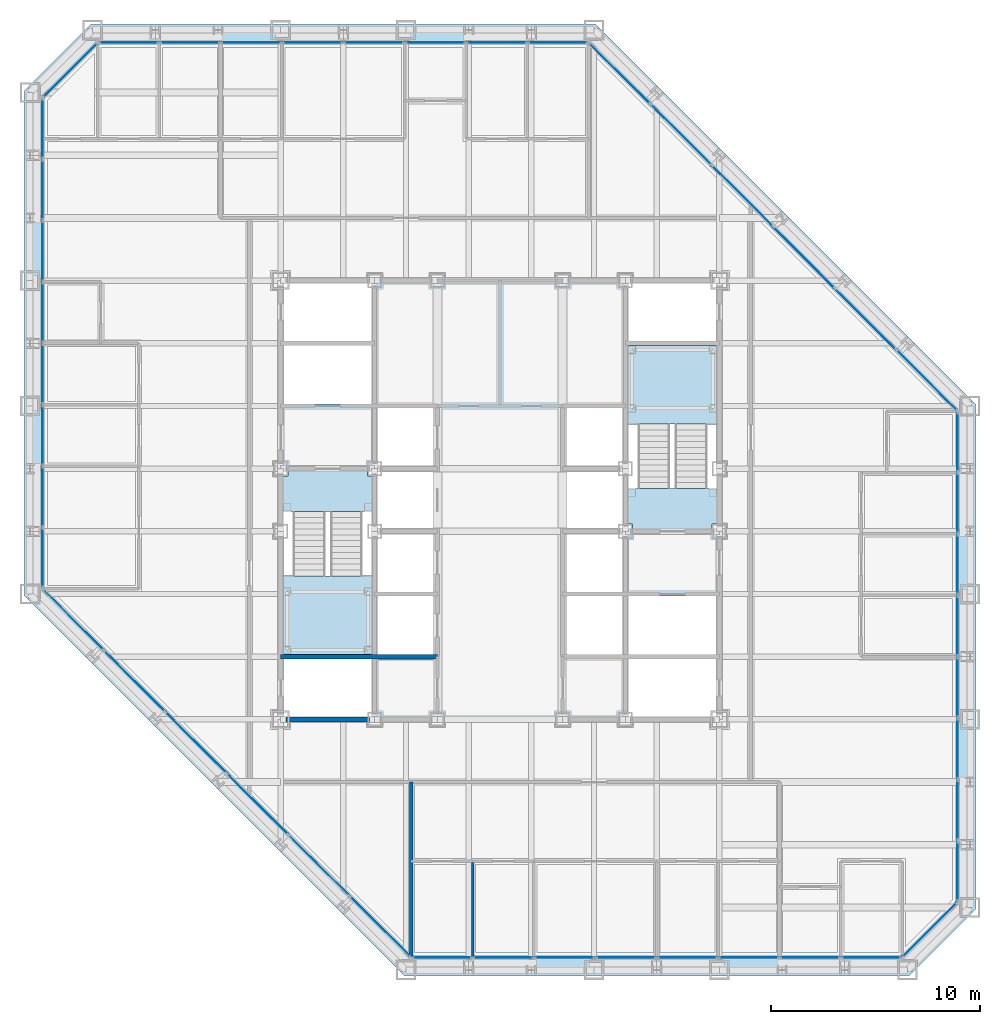
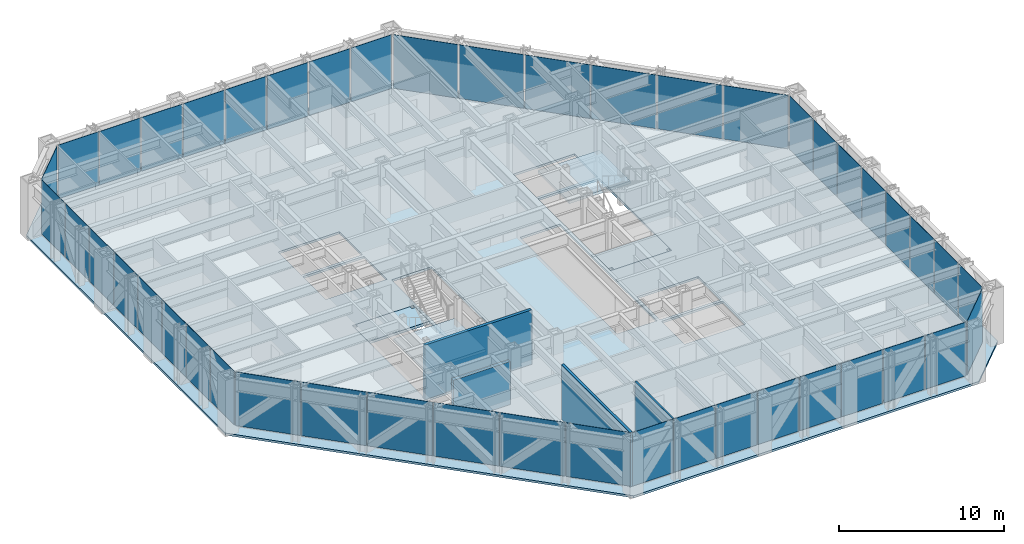
# One storey, part 9 of 16: 46 plates, 5 slabs, 4 walls, 10 elements without a shape of their own.
"""IFC4 building model written with IfcOpenShell, lengths in metres."""

from ifc_helpers import new_model, si_unit, direction, frame, frame_2d, origin, origin_2d, place, context, subcontext, project, spatial, polyline, rectangle, outline, extrude, material, layer, layer_set, type_object, element, aggregate, save


model = new_model("IFC4")

# Units and contexts
model_context = context("Model", 3, precision=1e-05, world=origin(), true_north=direction((0.0, 1.0)))
body_context = subcontext(model_context, "Body", "Model", "MODEL_VIEW")
ifc_project = project(units=[si_unit("LENGTHUNIT", "METRE"), si_unit("AREAUNIT", "SQUARE_METRE"), si_unit("VOLUMEUNIT", "CUBIC_METRE"), si_unit("PLANEANGLEUNIT", "RADIAN"), si_unit("MASSUNIT", "GRAM", prefix="KILO")], contexts=[model_context])

# Site, building, storey
site_placement = place(None, origin())
site = spatial("IfcSite", under=ifc_project, at=site_placement, CompositionType="ELEMENT")
building_placement = place(site_placement, origin())
building = spatial("IfcBuilding", under=site, at=building_placement, Name="Chuquiago Exchange Tower", CompositionType="ELEMENT")
storey_placement = place(building_placement, frame((0.0, 0.0, 106.800048828125)))
storey = spatial("IfcBuildingStorey", under=building, at=storey_placement, Name="L22", CompositionType="ELEMENT", Elevation=106.800048828125)

# Curtain wall, plates
ifc_material_1 = material(Name="Aluminium curtain wall system", Category="aluminium")
ifc_layer_1 = layer(ifc_material_1, 0.22509765625)
ifc_layer_set_1 = layer_set([ifc_layer_1], Name="CW2 office curtain wall")
curtain_wall_type_1 = type_object("IfcCurtainWallType", Name="CW2 office curtain wall", PredefinedType="NOTDEFINED", material=ifc_layer_set_1)
curtain_wall_1_placement = place(storey_placement, origin())
curtain_wall_1 = element("IfcCurtainWall", 1, at=curtain_wall_1_placement, inside=storey, type_object=curtain_wall_type_1, Name="CW2 curtain wall L22", PredefinedType="NOTDEFINED")
ifc_material_2 = material(Name="Glass, insulating unit", Category="glass")
ifc_layer_2 = layer(ifc_material_2, 0.030029296875)
ifc_layer_set_2 = layer_set([ifc_layer_2], Name="CW2-P panel 30")
plate_type_1 = type_object("IfcPlateType", Name="CW2-P panel 30", PredefinedType="CURTAIN_PANEL", material=ifc_layer_set_2)
plate_1_placement = place(storey_placement, frame((25.59326171875, 0.60009765625, 0.06494140625), z_axis=(0.0, 0.0, 1.0), x_axis=(1.0, 0.0, 0.0)))
plate_1 = element("IfcPlate", 2, at=plate_1_placement, type_object=plate_type_1, Name="CW2 panel 3.1", PredefinedType="CURTAIN_PANEL", context=body_context, shape_type="SweptSolid", body=[
    extrude(rectangle(XDim=2.872802734375, YDim=0.030029296875, at=origin_2d()), origin(), (0.0, 0.0, 1.0), 3.97509765625),
])
plate_2_placement = place(storey_placement, frame((34.40673828125, 0.60009765625, 0.06494140625), z_axis=(0.0, 0.0, 1.0), x_axis=(1.0, 0.0, 0.0)))
plate_2 = element("IfcPlate", 3, at=plate_2_placement, type_object=plate_type_1, Name="CW2 panel 6.1", PredefinedType="CURTAIN_PANEL", context=body_context, shape_type="SweptSolid", body=[
    extrude(rectangle(XDim=2.872802734375, YDim=0.030029296875, at=origin_2d()), origin(), (0.0, 0.0, 1.0), 3.97509765625),
])

curtain_wall_2_placement = place(storey_placement, origin())
curtain_wall_2 = element("IfcCurtainWall", 4, at=curtain_wall_2_placement, inside=storey, type_object=curtain_wall_type_1, Name="CW2 curtain wall L22", PredefinedType="NOTDEFINED")
plate_3_placement = place(storey_placement, frame((44.39990234375, 10.59326171875, 0.06494140625), z_axis=(0.0, 0.0, 1.0), x_axis=(0.0, 1.0, 0.0)))
plate_3 = element("IfcPlate", 5, at=plate_3_placement, type_object=plate_type_1, Name="CW2 panel 3.1", PredefinedType="CURTAIN_PANEL", context=body_context, shape_type="SweptSolid", body=[
    extrude(rectangle(XDim=2.872802734375, YDim=0.030029296875, at=origin_2d()), origin(), (0.0, 0.0, 1.0), 3.97509765625),
])
plate_4_placement = place(storey_placement, frame((44.39990234375, 19.40673828125, 0.06494140625), z_axis=(0.0, 0.0, 1.0), x_axis=(0.0, 1.0, 0.0)))
plate_4 = element("IfcPlate", 6, at=plate_4_placement, type_object=plate_type_1, Name="CW2 panel 6.1", PredefinedType="CURTAIN_PANEL", context=body_context, shape_type="SweptSolid", body=[
    extrude(rectangle(XDim=2.872802734375, YDim=0.030029296875, at=origin_2d()), origin(), (0.0, 0.0, 1.0), 3.97509765625),
])

curtain_wall_3_placement = place(storey_placement, origin())
curtain_wall_3 = element("IfcCurtainWall", 7, at=curtain_wall_3_placement, inside=storey, type_object=curtain_wall_type_1, Name="CW2 curtain wall L22", PredefinedType="NOTDEFINED")
plate_5_placement = place(storey_placement, frame((19.40673828125, 44.39990234375, 0.06494140625), z_axis=(0.0, 0.0, 1.0), x_axis=(-1.0, 0.0, 0.0)))
plate_5 = element("IfcPlate", 8, at=plate_5_placement, type_object=plate_type_1, Name="CW2 panel 3.1", PredefinedType="CURTAIN_PANEL", context=body_context, shape_type="SweptSolid", body=[
    extrude(rectangle(XDim=2.872802734375, YDim=0.030029296875, at=origin_2d()), origin(), (0.0, 0.0, 1.0), 3.97509765625),
])
plate_6_placement = place(storey_placement, frame((10.59326171875, 44.39990234375, 0.06494140625), z_axis=(0.0, 0.0, 1.0), x_axis=(-1.0, 0.0, 0.0)))
plate_6 = element("IfcPlate", 9, at=plate_6_placement, type_object=plate_type_1, Name="CW2 panel 6.1", PredefinedType="CURTAIN_PANEL", context=body_context, shape_type="SweptSolid", body=[
    extrude(rectangle(XDim=2.872802734375, YDim=0.030029296875, at=origin_2d()), origin(), (0.0, 0.0, 1.0), 3.97509765625),
])

curtain_wall_4_placement = place(storey_placement, origin())
curtain_wall_4 = element("IfcCurtainWall", 10, at=curtain_wall_4_placement, inside=storey, type_object=curtain_wall_type_1, Name="CW2 curtain wall L22", PredefinedType="NOTDEFINED")
plate_7_placement = place(storey_placement, frame((0.60009765625, 34.40673828125, 0.06494140625), z_axis=(0.0, 0.0, 1.0), x_axis=(0.0, -1.0, 0.0)))
plate_7 = element("IfcPlate", 11, at=plate_7_placement, type_object=plate_type_1, Name="CW2 panel 3.1", PredefinedType="CURTAIN_PANEL", context=body_context, shape_type="SweptSolid", body=[
    extrude(rectangle(XDim=2.872802734375, YDim=0.030029296875, at=origin_2d()), origin(), (0.0, 0.0, 1.0), 3.97509765625),
])
plate_8_placement = place(storey_placement, frame((0.60009765625, 25.59326171875, 0.06494140625), z_axis=(0.0, 0.0, 1.0), x_axis=(0.0, -1.0, 0.0)))
plate_8 = element("IfcPlate", 12, at=plate_8_placement, type_object=plate_type_1, Name="CW2 panel 6.1", PredefinedType="CURTAIN_PANEL", context=body_context, shape_type="SweptSolid", body=[
    extrude(rectangle(XDim=2.872802734375, YDim=0.030029296875, at=origin_2d()), origin(), (0.0, 0.0, 1.0), 3.97509765625),
])

# Plate
ifc_material_3 = material(Name="Insulated spandrel panel, pale anodised aluminium", Category="aluminium")
ifc_layer_3 = layer(ifc_material_3, 0.030029296875)
ifc_layer_set_3 = layer_set([ifc_layer_3], Name="CW2-P spandrel panel 30")
plate_type_2 = type_object("IfcPlateType", Name="CW2-P spandrel panel 30", PredefinedType="CURTAIN_PANEL", material=ifc_layer_set_3)
plate_9_placement = place(storey_placement, frame((19.733642578125, 0.60009765625, 0.06494140625), z_axis=(0.0, 0.0, 1.0), x_axis=(1.0, 0.0, 0.0)))
plate_9 = element("IfcPlate", 13, at=plate_9_placement, type_object=plate_type_2, Name="CW2 panel 1.1", PredefinedType="CURTAIN_PANEL", context=body_context, shape_type="SweptSolid", body=[
    extrude(rectangle(XDim=2.84033203125, YDim=0.030029296875, at=origin_2d()), origin(), (0.0, 0.0, 1.0), 3.97509765625),
])

plate_10_placement = place(storey_placement, frame((22.6552734375, 0.60009765625, 0.06494140625), z_axis=(0.0, 0.0, 1.0), x_axis=(1.0, 0.0, 0.0)))
plate_10 = element("IfcPlate", 14, at=plate_10_placement, type_object=plate_type_2, Name="CW2 panel 2.1", PredefinedType="CURTAIN_PANEL", context=body_context, shape_type="SweptSolid", body=[
    extrude(rectangle(XDim=2.872802734375, YDim=0.030029296875, at=origin_2d()), origin(), (0.0, 0.0, 1.0), 3.97509765625),
])

plate_11_placement = place(storey_placement, frame((28.531005859375, 0.60009765625, 0.06494140625), z_axis=(0.0, 0.0, 1.0), x_axis=(1.0, 0.0, 0.0)))
plate_11 = element("IfcPlate", 15, at=plate_11_placement, type_object=plate_type_2, Name="CW2 panel 4.1", PredefinedType="CURTAIN_PANEL", context=body_context, shape_type="SweptSolid", body=[
    extrude(rectangle(XDim=2.872802734375, YDim=0.030029296875, at=origin_2d()), origin(), (0.0, 0.0, 1.0), 3.97509765625),
])

plate_12_placement = place(storey_placement, frame((31.468994140625, 0.60009765625, 0.06494140625), z_axis=(0.0, 0.0, 1.0), x_axis=(1.0, 0.0, 0.0)))
plate_12 = element("IfcPlate", 16, at=plate_12_placement, type_object=plate_type_2, Name="CW2 panel 5.1", PredefinedType="CURTAIN_PANEL", context=body_context, shape_type="SweptSolid", body=[
    extrude(rectangle(XDim=2.872802734375, YDim=0.030029296875, at=origin_2d()), origin(), (0.0, 0.0, 1.0), 3.97509765625),
])

plate_13_placement = place(storey_placement, frame((37.3447265625, 0.60009765625, 0.06494140625), z_axis=(0.0, 0.0, 1.0), x_axis=(1.0, 0.0, 0.0)))
plate_13 = element("IfcPlate", 17, at=plate_13_placement, type_object=plate_type_2, Name="CW2 panel 7.1", PredefinedType="CURTAIN_PANEL", context=body_context, shape_type="SweptSolid", body=[
    extrude(rectangle(XDim=2.872802734375, YDim=0.030029296875, at=origin_2d()), origin(), (0.0, 0.0, 1.0), 3.97509765625),
])

plate_14_placement = place(storey_placement, frame((40.266357421875, 0.60009765625, 0.06494140625), z_axis=(0.0, 0.0, 1.0), x_axis=(1.0, 0.0, 0.0)))
plate_14 = element("IfcPlate", 18, at=plate_14_placement, type_object=plate_type_2, Name="CW2 panel 8.1", PredefinedType="CURTAIN_PANEL", context=body_context, shape_type="SweptSolid", body=[
    extrude(rectangle(XDim=2.84033203125, YDim=0.030029296875, at=origin_2d()), origin(), (0.0, 0.0, 1.0), 3.97509765625),
])

aggregate(curtain_wall_1, [plate_9, plate_10, plate_1, plate_11, plate_12, plate_2, plate_13, plate_14])

plate_15_placement = place(storey_placement, frame((44.39990234375, 4.733642578125, 0.06494140625), z_axis=(0.0, 0.0, 1.0), x_axis=(0.0, 1.0, 0.0)))
plate_15 = element("IfcPlate", 19, at=plate_15_placement, type_object=plate_type_2, Name="CW2 panel 1.1", PredefinedType="CURTAIN_PANEL", context=body_context, shape_type="SweptSolid", body=[
    extrude(rectangle(XDim=2.84033203125, YDim=0.030029296875, at=origin_2d()), origin(), (0.0, 0.0, 1.0), 3.97509765625),
])

plate_16_placement = place(storey_placement, frame((44.39990234375, 7.6552734375, 0.06494140625), z_axis=(0.0, 0.0, 1.0), x_axis=(0.0, 1.0, 0.0)))
plate_16 = element("IfcPlate", 20, at=plate_16_placement, type_object=plate_type_2, Name="CW2 panel 2.1", PredefinedType="CURTAIN_PANEL", context=body_context, shape_type="SweptSolid", body=[
    extrude(rectangle(XDim=2.872802734375, YDim=0.030029296875, at=origin_2d()), origin(), (0.0, 0.0, 1.0), 3.97509765625),
])

plate_17_placement = place(storey_placement, frame((44.39990234375, 13.531005859375, 0.06494140625), z_axis=(0.0, 0.0, 1.0), x_axis=(0.0, 1.0, 0.0)))
plate_17 = element("IfcPlate", 21, at=plate_17_placement, type_object=plate_type_2, Name="CW2 panel 4.1", PredefinedType="CURTAIN_PANEL", context=body_context, shape_type="SweptSolid", body=[
    extrude(rectangle(XDim=2.872802734375, YDim=0.030029296875, at=origin_2d()), origin(), (0.0, 0.0, 1.0), 3.97509765625),
])

plate_18_placement = place(storey_placement, frame((44.39990234375, 16.468994140625, 0.06494140625), z_axis=(0.0, 0.0, 1.0), x_axis=(0.0, 1.0, 0.0)))
plate_18 = element("IfcPlate", 22, at=plate_18_placement, type_object=plate_type_2, Name="CW2 panel 5.1", PredefinedType="CURTAIN_PANEL", context=body_context, shape_type="SweptSolid", body=[
    extrude(rectangle(XDim=2.872802734375, YDim=0.030029296875, at=origin_2d()), origin(), (0.0, 0.0, 1.0), 3.97509765625),
])

plate_19_placement = place(storey_placement, frame((44.39990234375, 22.3447265625, 0.06494140625), z_axis=(0.0, 0.0, 1.0), x_axis=(0.0, 1.0, 0.0)))
plate_19 = element("IfcPlate", 23, at=plate_19_placement, type_object=plate_type_2, Name="CW2 panel 7.1", PredefinedType="CURTAIN_PANEL", context=body_context, shape_type="SweptSolid", body=[
    extrude(rectangle(XDim=2.872802734375, YDim=0.030029296875, at=origin_2d()), origin(), (0.0, 0.0, 1.0), 3.97509765625),
])

plate_20_placement = place(storey_placement, frame((44.39990234375, 25.266357421875, 0.06494140625), z_axis=(0.0, 0.0, 1.0), x_axis=(0.0, 1.0, 0.0)))
plate_20 = element("IfcPlate", 24, at=plate_20_placement, type_object=plate_type_2, Name="CW2 panel 8.1", PredefinedType="CURTAIN_PANEL", context=body_context, shape_type="SweptSolid", body=[
    extrude(rectangle(XDim=2.84033203125, YDim=0.030029296875, at=origin_2d()), origin(), (0.0, 0.0, 1.0), 3.97509765625),
])

aggregate(curtain_wall_2, [plate_15, plate_16, plate_3, plate_17, plate_18, plate_4, plate_19, plate_20])

plate_21_placement = place(storey_placement, frame((25.266357421875, 44.39990234375, 0.06494140625), z_axis=(0.0, 0.0, 1.0), x_axis=(-1.0, 0.0, 0.0)))
plate_21 = element("IfcPlate", 25, at=plate_21_placement, type_object=plate_type_2, Name="CW2 panel 1.1", PredefinedType="CURTAIN_PANEL", context=body_context, shape_type="SweptSolid", body=[
    extrude(rectangle(XDim=2.84033203125, YDim=0.030029296875, at=origin_2d()), origin(), (0.0, 0.0, 1.0), 3.97509765625),
])

plate_22_placement = place(storey_placement, frame((22.3447265625, 44.39990234375, 0.06494140625), z_axis=(0.0, 0.0, 1.0), x_axis=(-1.0, 0.0, 0.0)))
plate_22 = element("IfcPlate", 26, at=plate_22_placement, type_object=plate_type_2, Name="CW2 panel 2.1", PredefinedType="CURTAIN_PANEL", context=body_context, shape_type="SweptSolid", body=[
    extrude(rectangle(XDim=2.872802734375, YDim=0.030029296875, at=origin_2d()), origin(), (0.0, 0.0, 1.0), 3.97509765625),
])

plate_23_placement = place(storey_placement, frame((16.468994140625, 44.39990234375, 0.06494140625), z_axis=(0.0, 0.0, 1.0), x_axis=(-1.0, 0.0, 0.0)))
plate_23 = element("IfcPlate", 27, at=plate_23_placement, type_object=plate_type_2, Name="CW2 panel 4.1", PredefinedType="CURTAIN_PANEL", context=body_context, shape_type="SweptSolid", body=[
    extrude(rectangle(XDim=2.872802734375, YDim=0.030029296875, at=origin_2d()), origin(), (0.0, 0.0, 1.0), 3.97509765625),
])

plate_24_placement = place(storey_placement, frame((13.531005859375, 44.39990234375, 0.06494140625), z_axis=(0.0, 0.0, 1.0), x_axis=(-1.0, 0.0, 0.0)))
plate_24 = element("IfcPlate", 28, at=plate_24_placement, type_object=plate_type_2, Name="CW2 panel 5.1", PredefinedType="CURTAIN_PANEL", context=body_context, shape_type="SweptSolid", body=[
    extrude(rectangle(XDim=2.872802734375, YDim=0.030029296875, at=origin_2d()), origin(), (0.0, 0.0, 1.0), 3.97509765625),
])

plate_25_placement = place(storey_placement, frame((7.6552734375, 44.39990234375, 0.06494140625), z_axis=(0.0, 0.0, 1.0), x_axis=(-1.0, 0.0, 0.0)))
plate_25 = element("IfcPlate", 29, at=plate_25_placement, type_object=plate_type_2, Name="CW2 panel 7.1", PredefinedType="CURTAIN_PANEL", context=body_context, shape_type="SweptSolid", body=[
    extrude(rectangle(XDim=2.872802734375, YDim=0.030029296875, at=origin_2d()), origin(), (0.0, 0.0, 1.0), 3.97509765625),
])

plate_26_placement = place(storey_placement, frame((4.733642578125, 44.39990234375, 0.06494140625), z_axis=(0.0, 0.0, 1.0), x_axis=(-1.0, 0.0, 0.0)))
plate_26 = element("IfcPlate", 30, at=plate_26_placement, type_object=plate_type_2, Name="CW2 panel 8.1", PredefinedType="CURTAIN_PANEL", context=body_context, shape_type="SweptSolid", body=[
    extrude(rectangle(XDim=2.84033203125, YDim=0.030029296875, at=origin_2d()), origin(), (0.0, 0.0, 1.0), 3.97509765625),
])

aggregate(curtain_wall_3, [plate_21, plate_22, plate_5, plate_23, plate_24, plate_6, plate_25, plate_26])

plate_27_placement = place(storey_placement, frame((0.60009765625, 40.266357421875, 0.06494140625), z_axis=(0.0, 0.0, 1.0), x_axis=(0.0, -1.0, 0.0)))
plate_27 = element("IfcPlate", 31, at=plate_27_placement, type_object=plate_type_2, Name="CW2 panel 1.1", PredefinedType="CURTAIN_PANEL", context=body_context, shape_type="SweptSolid", body=[
    extrude(rectangle(XDim=2.84033203125, YDim=0.030029296875, at=origin_2d()), origin(), (0.0, 0.0, 1.0), 3.97509765625),
])

plate_28_placement = place(storey_placement, frame((0.60009765625, 37.3447265625, 0.06494140625), z_axis=(0.0, 0.0, 1.0), x_axis=(0.0, -1.0, 0.0)))
plate_28 = element("IfcPlate", 32, at=plate_28_placement, type_object=plate_type_2, Name="CW2 panel 2.1", PredefinedType="CURTAIN_PANEL", context=body_context, shape_type="SweptSolid", body=[
    extrude(rectangle(XDim=2.872802734375, YDim=0.030029296875, at=origin_2d()), origin(), (0.0, 0.0, 1.0), 3.97509765625),
])

plate_29_placement = place(storey_placement, frame((0.60009765625, 31.468994140625, 0.06494140625), z_axis=(0.0, 0.0, 1.0), x_axis=(0.0, -1.0, 0.0)))
plate_29 = element("IfcPlate", 33, at=plate_29_placement, type_object=plate_type_2, Name="CW2 panel 4.1", PredefinedType="CURTAIN_PANEL", context=body_context, shape_type="SweptSolid", body=[
    extrude(rectangle(XDim=2.872802734375, YDim=0.030029296875, at=origin_2d()), origin(), (0.0, 0.0, 1.0), 3.97509765625),
])

plate_30_placement = place(storey_placement, frame((0.60009765625, 28.531005859375, 0.06494140625), z_axis=(0.0, 0.0, 1.0), x_axis=(0.0, -1.0, 0.0)))
plate_30 = element("IfcPlate", 34, at=plate_30_placement, type_object=plate_type_2, Name="CW2 panel 5.1", PredefinedType="CURTAIN_PANEL", context=body_context, shape_type="SweptSolid", body=[
    extrude(rectangle(XDim=2.872802734375, YDim=0.030029296875, at=origin_2d()), origin(), (0.0, 0.0, 1.0), 3.97509765625),
])

plate_31_placement = place(storey_placement, frame((0.60009765625, 22.6552734375, 0.06494140625), z_axis=(0.0, 0.0, 1.0), x_axis=(0.0, -1.0, 0.0)))
plate_31 = element("IfcPlate", 35, at=plate_31_placement, type_object=plate_type_2, Name="CW2 panel 7.1", PredefinedType="CURTAIN_PANEL", context=body_context, shape_type="SweptSolid", body=[
    extrude(rectangle(XDim=2.872802734375, YDim=0.030029296875, at=origin_2d()), origin(), (0.0, 0.0, 1.0), 3.97509765625),
])

plate_32_placement = place(storey_placement, frame((0.60009765625, 19.733642578125, 0.06494140625), z_axis=(0.0, 0.0, 1.0), x_axis=(0.0, -1.0, 0.0)))
plate_32 = element("IfcPlate", 36, at=plate_32_placement, type_object=plate_type_2, Name="CW2 panel 8.1", PredefinedType="CURTAIN_PANEL", context=body_context, shape_type="SweptSolid", body=[
    extrude(rectangle(XDim=2.84033203125, YDim=0.030029296875, at=origin_2d()), origin(), (0.0, 0.0, 1.0), 3.97509765625),
])

aggregate(curtain_wall_4, [plate_27, plate_28, plate_7, plate_29, plate_30, plate_8, plate_31, plate_32])

# Curtain wall, plate
ifc_material_4 = material(Name="Aluminium curtain wall system", Category="aluminium")
ifc_layer_4 = layer(ifc_material_4, 0.199951171875)
ifc_layer_set_4 = layer_set([ifc_layer_4], Name="CW3 facet curtain wall")
curtain_wall_type_2 = type_object("IfcCurtainWallType", Name="CW3 facet curtain wall", PredefinedType="NOTDEFINED", material=ifc_layer_set_4)
curtain_wall_5_placement = place(storey_placement, origin())
curtain_wall_5 = element("IfcCurtainWall", 37, at=curtain_wall_5_placement, inside=storey, type_object=curtain_wall_type_2, Name="CW3 curtain wall L22", PredefinedType="NOTDEFINED")
ifc_material_5 = material(Name="Insulated spandrel panel, pale anodised aluminium", Category="aluminium")
ifc_layer_5 = layer(ifc_material_5, 0.030029296875)
ifc_layer_set_5 = layer_set([ifc_layer_5], Name="CW3-P spandrel panel 30")
plate_type_3 = type_object("IfcPlateType", Name="CW3-P spandrel panel 30", PredefinedType="CURTAIN_PANEL", material=ifc_layer_set_5)
plate_33_placement = place(storey_placement, frame((43.07568359375, 1.92431640625, 0.06494140625), z_axis=(0.0, 0.0, 1.0), x_axis=(0.707106781187, 0.707106781187, 0.0)))
plate_33 = element("IfcPlate", 38, at=plate_33_placement, type_object=plate_type_3, Name="CW3 panel 1.1", PredefinedType="CURTAIN_PANEL", context=body_context, shape_type="SweptSolid", body=[
    extrude(rectangle(XDim=3.615478515625, YDim=0.030029296875, at=origin_2d()), origin(), (0.0, 0.0, 1.0), 3.97509765625),
])
aggregate(curtain_wall_5, [plate_33])

# Curtain wall, plates
curtain_wall_6_placement = place(storey_placement, origin())
curtain_wall_6 = element("IfcCurtainWall", 39, at=curtain_wall_6_placement, inside=storey, type_object=curtain_wall_type_2, Name="CW3 curtain wall L22", PredefinedType="NOTDEFINED")
plate_34_placement = place(storey_placement, frame((42.917724609375, 28.233642578125, 0.06494140625), z_axis=(0.0, 0.0, 1.0), x_axis=(-0.707106781187, 0.707106781187, 0.0)))
plate_34 = element("IfcPlate", 40, at=plate_34_placement, type_object=plate_type_3, Name="CW3 panel 1.1", PredefinedType="CURTAIN_PANEL", context=body_context, shape_type="SweptSolid", body=[
    extrude(rectangle(XDim=4.062255859375, YDim=0.030029296875, at=origin_2d()), origin(), (0.0, 0.0, 1.0), 3.97509765625),
])
plate_35_placement = place(storey_placement, frame((39.98779296875, 31.16357421875, 0.06494140625), z_axis=(0.0, 0.0, 1.0), x_axis=(-0.707106781187, 0.707106781187, 0.0)))
plate_35 = element("IfcPlate", 41, at=plate_35_placement, type_object=plate_type_3, Name="CW3 panel 2.1", PredefinedType="CURTAIN_PANEL", context=body_context, shape_type="SweptSolid", body=[
    extrude(rectangle(XDim=4.0947265625, YDim=0.030029296875, at=origin_2d()), origin(), (0.0, 0.0, 1.0), 3.97509765625),
])
plate_36_placement = place(storey_placement, frame((37.04638671875, 34.10498046875, 0.06494140625), z_axis=(0.0, 0.0, 1.0), x_axis=(-0.707106781187, 0.707106781187, 0.0)))
plate_36 = element("IfcPlate", 42, at=plate_36_placement, type_object=plate_type_3, Name="CW3 panel 3.1", PredefinedType="CURTAIN_PANEL", context=body_context, shape_type="SweptSolid", body=[
    extrude(rectangle(XDim=4.0947265625, YDim=0.030029296875, at=origin_2d()), origin(), (0.0, 0.0, 1.0), 3.97509765625),
])
plate_37_placement = place(storey_placement, frame((34.10498046875, 37.04638671875, 0.06494140625), z_axis=(0.0, 0.0, 1.0), x_axis=(-0.707106781187, 0.707106781187, 0.0)))
plate_37 = element("IfcPlate", 43, at=plate_37_placement, type_object=plate_type_3, Name="CW3 panel 4.1", PredefinedType="CURTAIN_PANEL", context=body_context, shape_type="SweptSolid", body=[
    extrude(rectangle(XDim=4.0947265625, YDim=0.030029296875, at=origin_2d()), origin(), (0.0, 0.0, 1.0), 3.97509765625),
])
plate_38_placement = place(storey_placement, frame((31.16357421875, 39.98779296875, 0.06494140625), z_axis=(0.0, 0.0, 1.0), x_axis=(-0.707106781187, 0.707106781187, 0.0)))
plate_38 = element("IfcPlate", 44, at=plate_38_placement, type_object=plate_type_3, Name="CW3 panel 5.1", PredefinedType="CURTAIN_PANEL", context=body_context, shape_type="SweptSolid", body=[
    extrude(rectangle(XDim=4.0947265625, YDim=0.030029296875, at=origin_2d()), origin(), (0.0, 0.0, 1.0), 3.97509765625),
])
plate_39_placement = place(storey_placement, frame((28.233642578125, 42.917724609375, 0.06494140625), z_axis=(0.0, 0.0, 1.0), x_axis=(-0.707106781187, 0.707106781187, 0.0)))
plate_39 = element("IfcPlate", 45, at=plate_39_placement, type_object=plate_type_3, Name="CW3 panel 6.1", PredefinedType="CURTAIN_PANEL", context=body_context, shape_type="SweptSolid", body=[
    extrude(rectangle(XDim=4.062255859375, YDim=0.030029296875, at=origin_2d()), origin(), (0.0, 0.0, 1.0), 3.97509765625),
])
aggregate(curtain_wall_6, [plate_34, plate_35, plate_36, plate_37, plate_38, plate_39])

# Curtain wall, plate
curtain_wall_7_placement = place(storey_placement, origin())
curtain_wall_7 = element("IfcCurtainWall", 46, at=curtain_wall_7_placement, inside=storey, type_object=curtain_wall_type_2, Name="CW3 curtain wall L22", PredefinedType="NOTDEFINED")
plate_40_placement = place(storey_placement, frame((1.92431640625, 43.07568359375, 0.06494140625), z_axis=(0.0, 0.0, 1.0), x_axis=(-0.707106781187, -0.707106781187, 0.0)))
plate_40 = element("IfcPlate", 47, at=plate_40_placement, type_object=plate_type_3, Name="CW3 panel 1.1", PredefinedType="CURTAIN_PANEL", context=body_context, shape_type="SweptSolid", body=[
    extrude(rectangle(XDim=3.615478515625, YDim=0.030029296875, at=origin_2d()), origin(), (0.0, 0.0, 1.0), 3.97509765625),
])
aggregate(curtain_wall_7, [plate_40])

# Curtain wall, plates
curtain_wall_8_placement = place(storey_placement, origin())
curtain_wall_8 = element("IfcCurtainWall", 48, at=curtain_wall_8_placement, inside=storey, type_object=curtain_wall_type_2, Name="CW3 curtain wall L22", PredefinedType="NOTDEFINED")
plate_41_placement = place(storey_placement, frame((2.082275390625, 16.766357421875, 0.06494140625), z_axis=(0.0, 0.0, 1.0), x_axis=(0.707106781187, -0.707106781187, 0.0)))
plate_41 = element("IfcPlate", 49, at=plate_41_placement, type_object=plate_type_3, Name="CW3 panel 1.1", PredefinedType="CURTAIN_PANEL", context=body_context, shape_type="SweptSolid", body=[
    extrude(rectangle(XDim=4.062255859375, YDim=0.030029296875, at=origin_2d()), origin(), (0.0, 0.0, 1.0), 3.97509765625),
])
plate_42_placement = place(storey_placement, frame((5.01220703125, 13.83642578125, 0.06494140625), z_axis=(0.0, 0.0, 1.0), x_axis=(0.707106781187, -0.707106781187, 0.0)))
plate_42 = element("IfcPlate", 50, at=plate_42_placement, type_object=plate_type_3, Name="CW3 panel 2.1", PredefinedType="CURTAIN_PANEL", context=body_context, shape_type="SweptSolid", body=[
    extrude(rectangle(XDim=4.0947265625, YDim=0.030029296875, at=origin_2d()), origin(), (0.0, 0.0, 1.0), 3.97509765625),
])
plate_43_placement = place(storey_placement, frame((7.95361328125, 10.89501953125, 0.06494140625), z_axis=(0.0, 0.0, 1.0), x_axis=(0.707106781187, -0.707106781187, 0.0)))
plate_43 = element("IfcPlate", 51, at=plate_43_placement, type_object=plate_type_3, Name="CW3 panel 3.1", PredefinedType="CURTAIN_PANEL", context=body_context, shape_type="SweptSolid", body=[
    extrude(rectangle(XDim=4.0947265625, YDim=0.030029296875, at=origin_2d()), origin(), (0.0, 0.0, 1.0), 3.97509765625),
])
plate_44_placement = place(storey_placement, frame((10.89501953125, 7.95361328125, 0.06494140625), z_axis=(0.0, 0.0, 1.0), x_axis=(0.707106781187, -0.707106781187, 0.0)))
plate_44 = element("IfcPlate", 52, at=plate_44_placement, type_object=plate_type_3, Name="CW3 panel 4.1", PredefinedType="CURTAIN_PANEL", context=body_context, shape_type="SweptSolid", body=[
    extrude(rectangle(XDim=4.0947265625, YDim=0.030029296875, at=origin_2d()), origin(), (0.0, 0.0, 1.0), 3.97509765625),
])
plate_45_placement = place(storey_placement, frame((13.83642578125, 5.01220703125, 0.06494140625), z_axis=(0.0, 0.0, 1.0), x_axis=(0.707106781187, -0.707106781187, 0.0)))
plate_45 = element("IfcPlate", 53, at=plate_45_placement, type_object=plate_type_3, Name="CW3 panel 5.1", PredefinedType="CURTAIN_PANEL", context=body_context, shape_type="SweptSolid", body=[
    extrude(rectangle(XDim=4.0947265625, YDim=0.030029296875, at=origin_2d()), origin(), (0.0, 0.0, 1.0), 3.97509765625),
])
plate_46_placement = place(storey_placement, frame((16.766357421875, 2.082275390625, 0.06494140625), z_axis=(0.0, 0.0, 1.0), x_axis=(0.707106781187, -0.707106781187, 0.0)))
plate_46 = element("IfcPlate", 54, at=plate_46_placement, type_object=plate_type_3, Name="CW3 panel 6.1", PredefinedType="CURTAIN_PANEL", context=body_context, shape_type="SweptSolid", body=[
    extrude(rectangle(XDim=4.062255859375, YDim=0.030029296875, at=origin_2d()), origin(), (0.0, 0.0, 1.0), 3.97509765625),
])
aggregate(curtain_wall_8, [plate_41, plate_42, plate_43, plate_44, plate_45, plate_46])

# Slab
ifc_material_6 = material(Name="Concrete C30/37", Category="concrete")
ifc_layer_6 = layer(ifc_material_6, 0.159912109375)
ifc_layer_set_6 = layer_set([ifc_layer_6], Name="FS1 composite floor 160")
slab_type_1 = type_object("IfcSlabType", Name="FS1 composite floor 160", PredefinedType="FLOOR", material=ifc_layer_set_6)
slab_1_placement = place(storey_placement, frame((0.0, 0.0, -0.16015625)))
element("IfcSlab", 55, at=slab_1_placement, inside=storey, type_object=slab_type_1, Name="L22 floor slab", PredefinedType="FLOOR", context=body_context, shape_type="SweptSolid", body=[
    extrude(outline(polyline([(17.896484375, -0.25), (-0.25, 17.896484375), (-0.25, 42.103515625), (2.896484375, 45.25), (27.103515625, 45.25), (45.25, 27.103515625), (45.25, 2.896484375), (42.103515625, -0.25), (17.896484375, -0.25)]), holes=[polyline([(16.39990234375, 15.10009765625), (12.10009765625, 15.10009765625), (12.10009765625, 23.89990234375), (16.39990234375, 23.89990234375), (16.39990234375, 15.10009765625)]), polyline([(32.89990234375, 21.10009765625), (28.60009765625, 21.10009765625), (28.60009765625, 29.89990234375), (32.89990234375, 29.89990234375), (32.89990234375, 21.10009765625)]), polyline([(16.39990234375, 12.10009765625), (12.10009765625, 12.10009765625), (12.10009765625, 14.89990234375), (16.39990234375, 14.89990234375), (16.39990234375, 12.10009765625)]), polyline([(16.39990234375, 30.10009765625), (12.10009765625, 30.10009765625), (12.10009765625, 32.89990234375), (16.39990234375, 32.89990234375), (16.39990234375, 30.10009765625)]), polyline([(32.89990234375, 12.10009765625), (28.60009765625, 12.10009765625), (28.60009765625, 14.89990234375), (32.89990234375, 14.89990234375), (32.89990234375, 12.10009765625)]), polyline([(32.89990234375, 30.10009765625), (28.60009765625, 30.10009765625), (28.60009765625, 32.89990234375), (32.89990234375, 32.89990234375), (32.89990234375, 30.10009765625)]), polyline([(16.39990234375, 27.10009765625), (12.10009765625, 27.10009765625), (12.10009765625, 29.89990234375), (16.39990234375, 29.89990234375), (16.39990234375, 27.10009765625)]), polyline([(32.89990234375, 15.10009765625), (28.60009765625, 15.10009765625), (28.60009765625, 17.89990234375), (32.89990234375, 17.89990234375), (32.89990234375, 15.10009765625)]), polyline([(19.39990234375, 15.10009765625), (16.60009765625, 15.10009765625), (16.60009765625, 26.89990234375), (19.39990234375, 26.89990234375), (19.39990234375, 15.10009765625)]), polyline([(28.39990234375, 15.10009765625), (25.60009765625, 15.10009765625), (25.60009765625, 26.89990234375), (28.39990234375, 26.89990234375), (28.39990234375, 15.10009765625)])]), origin(), (0.0, 0.0, 1.0), 0.16015625),
])

# Stair, slabs
ifc_material_7 = material(Name="Concrete C30/37, precast", Category="concrete")
stair_type_1 = type_object("IfcStairType", Name="ST1 half-turn stair 4200", PredefinedType="HALF_TURN_STAIR", material=ifc_material_7)
stair_1_placement = place(storey_placement, origin())
stair_1 = element("IfcStair", 56, at=stair_1_placement, inside=storey, type_object=stair_type_1, Name="Stair ST1 L22", PredefinedType="HALF_TURN_STAIR")
ifc_material_8 = material(Name="Concrete C30/37, precast", Category="concrete")
ifc_layer_7 = layer(ifc_material_8, 0.199951171875)
ifc_layer_set_7 = layer_set([ifc_layer_7], Name="ST-L landing 200")
slab_type_2 = type_object("IfcSlabType", Name="ST-L landing 200", PredefinedType="LANDING", material=ifc_layer_set_7)
slab_2_placement = place(storey_placement, frame((0.0, 0.0, -0.199951171875)))
slab_2 = element("IfcSlab", 57, at=slab_2_placement, type_object=slab_type_2, Name="ST1 landing 1", PredefinedType="LANDING", context=body_context, shape_type="SweptSolid", body=[
    extrude(outline(polyline([(12.35009765625, 23.89990234375), (16.14990234375, 23.89990234375), (16.14990234375, 23.64990234375), (16.39990234375, 23.64990234375), (16.39990234375, 21.949951171875), (12.10009765625, 21.949951171875), (12.10009765625, 23.64990234375), (12.35009765625, 23.64990234375), (12.35009765625, 23.89990234375)])), origin(), (0.0, 0.0, 1.0), 0.199951171875),
])
slab_3_placement = place(storey_placement, frame((0.0, 0.0, 1.89990234375)))
slab_3 = element("IfcSlab", 58, at=slab_3_placement, type_object=slab_type_2, Name="ST1 landing 2", PredefinedType="LANDING", context=body_context, shape_type="SweptSolid", body=[
    extrude(outline(polyline([(12.10009765625, 18.8701171875), (16.39990234375, 18.8701171875), (16.39990234375, 15.10009765625), (12.10009765625, 15.10009765625), (12.10009765625, 18.8701171875)])), origin(), (0.0, 0.0, 1.0), 0.199951171875),
])
aggregate(stair_1, [slab_2, slab_3])

ifc_material_9 = material(Name="Concrete C30/37, precast", Category="concrete")
stair_type_2 = type_object("IfcStairType", Name="ST2 half-turn stair 4200", PredefinedType="HALF_TURN_STAIR", material=ifc_material_9)
stair_2_placement = place(storey_placement, origin())
stair_2 = element("IfcStair", 59, at=stair_2_placement, inside=storey, type_object=stair_type_2, Name="Stair ST2 L22", PredefinedType="HALF_TURN_STAIR")
slab_4_placement = place(storey_placement, frame((0.0, 0.0, -0.199951171875)))
slab_4 = element("IfcSlab", 60, at=slab_4_placement, type_object=slab_type_2, Name="ST2 landing 1", PredefinedType="LANDING", context=body_context, shape_type="SweptSolid", body=[
    extrude(outline(polyline([(32.64990234375, 21.35009765625), (32.64990234375, 21.10009765625), (28.85009765625, 21.10009765625), (28.85009765625, 21.35009765625), (28.60009765625, 21.35009765625), (28.60009765625, 23.050048828125), (32.89990234375, 23.050048828125), (32.89990234375, 21.35009765625), (32.64990234375, 21.35009765625)])), origin(), (0.0, 0.0, 1.0), 0.199951171875),
])
slab_5_placement = place(storey_placement, frame((0.0, 0.0, 1.89990234375)))
slab_5 = element("IfcSlab", 61, at=slab_5_placement, type_object=slab_type_2, Name="ST2 landing 2", PredefinedType="LANDING", context=body_context, shape_type="SweptSolid", body=[
    extrude(outline(polyline([(28.60009765625, 29.89990234375), (32.89990234375, 29.89990234375), (32.89990234375, 26.1298828125), (28.60009765625, 26.1298828125), (28.60009765625, 29.89990234375)])), origin(), (0.0, 0.0, 1.0), 0.199951171875),
])
aggregate(stair_2, [slab_4, slab_5])

# Walls
ifc_material_10 = material(Name="Concrete masonry, fully grouted", Category="masonry")
ifc_layer_8 = layer(ifc_material_10, 0.25)
ifc_layer_set_8 = layer_set([ifc_layer_8], Name="W1 core wall 250")
wall_type_1 = type_object("IfcWallType", Name="W1 core wall 250", PredefinedType="SOLIDWALL", material=ifc_layer_set_8)
wall_1_placement = place(storey_placement, frame((12.25, 12.0, 0.0), z_axis=(0.0, 0.0, 1.0), x_axis=(1.0, 0.0, 0.0)))
element("IfcWall", 62, at=wall_1_placement, inside=storey, type_object=wall_type_1, Name="CW-L22-01-0", PredefinedType="SOLIDWALL", context=body_context, shape_type="SweptSolid", body=[
    extrude(rectangle(XDim=4.0, YDim=0.25, at=frame_2d((2.0, 0.0))), origin(), (0.0, 0.0, 1.0), 3.181396484375),
])
ifc_material_11 = material(Name="Gypsum board on twin steel studs, acoustic insulation", Category="steel")
ifc_layer_9 = layer(ifc_material_11, 0.175048828125)
ifc_layer_set_9 = layer_set([ifc_layer_9], Name="W12 tenant demising wall 175")
wall_type_2 = type_object("IfcWallType", Name="W12 tenant demising wall 175", PredefinedType="PARTITIONING", material=ifc_layer_set_9)
wall_2_placement = place(storey_placement, frame((18.24853515625, 0.666015625, 0.0), z_axis=(0.0, 0.0, 1.0), x_axis=(0.0, 1.0, 0.0)))
element("IfcWall", 63, at=wall_2_placement, inside=storey, type_object=wall_type_2, Name="PW-L22-DS01825", PredefinedType="PARTITIONING", context=body_context, shape_type="SweptSolid", body=[
    extrude(rectangle(XDim=8.333984375, YDim=0.175048828125, at=frame_2d((4.1669921875, 0.0))), origin(), (0.0, 0.0, 1.0), 4.0400390625),
])
ifc_material_12 = material(Name="Concrete masonry, fully grouted", Category="masonry")
ifc_layer_10 = layer(ifc_material_12, 0.199951171875)
ifc_layer_set_10 = layer_set([ifc_layer_10], Name="W2 shaft wall 200")
wall_type_3 = type_object("IfcWallType", Name="W2 shaft wall 200", PredefinedType="SOLIDWALL", material=ifc_layer_set_10)
wall_3_placement = place(storey_placement, frame((12.0, 15.0, 0.0), z_axis=(0.0, 0.0, 1.0), x_axis=(1.0, 0.0, 0.0)))
element("IfcWall", 64, at=wall_3_placement, inside=storey, type_object=wall_type_3, Name="CW-L22-03-0", PredefinedType="SOLIDWALL", context=body_context, shape_type="SweptSolid", body=[
    extrude(rectangle(XDim=7.5, YDim=0.199951171875, at=frame_2d((3.75, 0.0))), origin(), (0.0, 0.0, 1.0), 4.0400390625),
])
ifc_material_13 = material(Name="Gypsum board on steel studs", Category="steel")
ifc_layer_11 = layer(ifc_material_13, 0.1201171875)
ifc_layer_set_11 = layer_set([ifc_layer_11], Name="W4 partition 120")
wall_type_4 = type_object("IfcWallType", Name="W4 partition 120", PredefinedType="PARTITIONING", material=ifc_layer_set_11)
wall_4_placement = place(storey_placement, frame((21.186279296875, 0.652587890625, 0.0), z_axis=(0.0, 0.0, 1.0), x_axis=(0.0, 1.0, 0.0)))
element("IfcWall", 65, at=wall_4_placement, inside=storey, type_object=wall_type_4, Name="PW-L22-S02119", PredefinedType="PARTITIONING", context=body_context, shape_type="SweptSolid", body=[
    extrude(rectangle(XDim=4.54736328125, YDim=0.1201171875, at=frame_2d((2.273681640625, 0.0))), origin(), (0.0, 0.0, 1.0), 4.0400390625),
])

save(model, "model.ifc")
